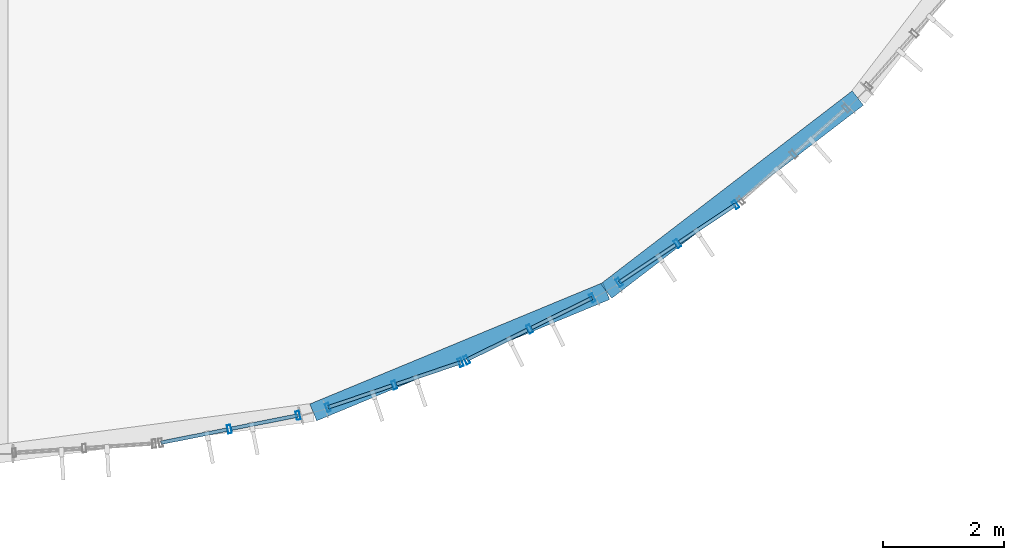
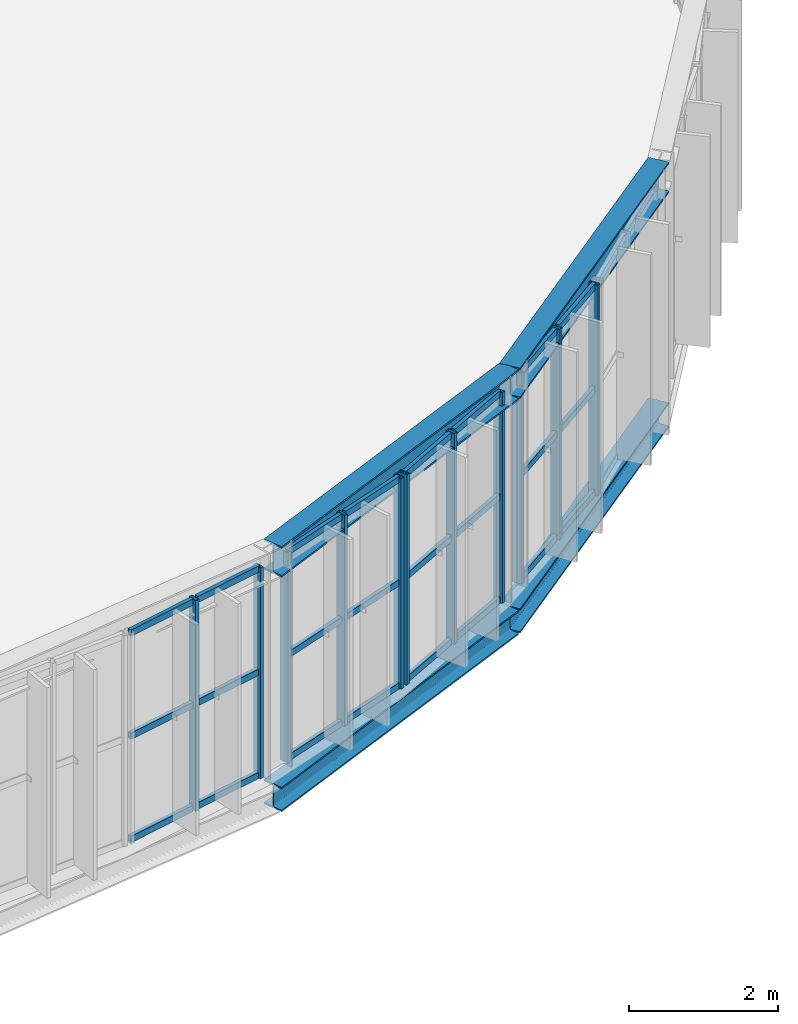
# One storey, part 45 of 152: 35 members, 4 beams, 4 elements without a shape of their own.
"""IFC4 building model written with IfcOpenShell, lengths in metres."""

import ifcopenshell
import ifcopenshell.guid

model = None  # the IFC model being written
_history = None  # IfcOwnerHistory: only IFC2X3 demands one
_inside = {}  # id of a spatial element -> (the spatial element, [elements in it])
_under = {}  # id of a project, library or spatial element -> (it, [spatial elements below it])
_declared = {}  # id of a project -> (the project, [libraries it declares])
_typed = {}  # id of a type object -> (the type object, [elements of that type])
_made_of = {}  # id of a material, layer set ... -> (it, [elements and type objects made of it])


def new_model(schema):
    """Start an empty IFC model of exactly this schema.

    Asked for "IFC4X3", IfcOpenShell would pick the latest addendum, in which some entities
    have other attributes; the version numbers below select the first issue.
    IFC2X3 requires an IfcOwnerHistory on every rooted entity: one is made here for all.
    """
    global model, _history
    if schema == "IFC4X3":
        model = ifcopenshell.file(schema_version=(4, 3, 0, 0))
    else:
        model = ifcopenshell.file(schema=schema)
    _inside.clear()
    _under.clear()
    _declared.clear()
    _typed.clear()
    _made_of.clear()
    _history = None
    if model.schema == "IFC2X3":
        org = make("IfcOrganization", Name="unknown")
        user = make(
            "IfcPersonAndOrganization",
            ThePerson=make("IfcPerson", FamilyName="unknown"),
            TheOrganization=org,
        )
        app = make(
            "IfcApplication",
            ApplicationDeveloper=org,
            Version="unknown",
            ApplicationFullName="unknown",
            ApplicationIdentifier="unknown",
        )
        _history = make(
            "IfcOwnerHistory",
            OwningUser=user,
            OwningApplication=app,
            ChangeAction="ADDED",
            CreationDate=0,
        )
    return model


def make(cls, **values):
    """One entity of the class cls with the attributes given. An attribute that is None is left unset."""
    return model.create_entity(
        cls, **{name: value for name, value in values.items() if value is not None}
    )


def rooted(cls, **values):
    """An entity with a GlobalId (a new one), such as an element, a storey or a relation."""
    return make(cls, GlobalId=ifcopenshell.guid.new(), OwnerHistory=_history, **values)


def si_unit(unit_type, name, prefix=None):
    """IfcSIUnit, for example si_unit("LENGTHUNIT", "METRE", prefix="MILLI")."""
    return make("IfcSIUnit", UnitType=unit_type, Prefix=prefix, Name=name)


def derived_unit(unit_type, elements):
    """IfcDerivedUnit: a product of units, each with its exponent."""
    return make(
        "IfcDerivedUnit",
        Elements=[
            make("IfcDerivedUnitElement", Unit=unit, Exponent=power)
            for unit, power in elements
        ],
        UnitType=unit_type,
    )


def assignment(units):
    """IfcUnitAssignment: the units of a project."""
    return None if units is None else make("IfcUnitAssignment", Units=units)


def point(xyz):
    """IfcCartesianPoint."""
    return None if xyz is None else make("IfcCartesianPoint", Coordinates=xyz)


def direction(xyz):
    """IfcDirection."""
    return None if xyz is None else make("IfcDirection", DirectionRatios=xyz)


def frame(location, z_axis=None, x_axis=None):
    """IfcAxis2Placement3D, a coordinate frame: its origin and axes. An axis left out is left unset."""
    return make(
        "IfcAxis2Placement3D",
        Location=point(location),
        Axis=direction(z_axis),
        RefDirection=direction(x_axis),
    )


def frame_2d(location, x_axis=None):
    """IfcAxis2Placement2D, a coordinate frame in the plane: its origin and x axis."""
    return make(
        "IfcAxis2Placement2D", Location=point(location), RefDirection=direction(x_axis)
    )


def origin():
    """The frame at (0, 0, 0) with its axes left unset."""
    return frame((0.0, 0.0, 0.0))


def origin_2d():
    """The frame at (0, 0) in the plane with its x axis left unset."""
    return frame_2d((0.0, 0.0))


def place(relative_to, where):
    """IfcLocalPlacement: puts the frame where relative to a parent placement (None: the world)."""
    return make(
        "IfcLocalPlacement", PlacementRelTo=relative_to, RelativePlacement=where
    )


def context(
    kind, dimensions, precision=None, world=None, true_north=None, identifier=None
):
    """IfcGeometricRepresentationContext, for example the 3D "Model" context."""
    return make(
        "IfcGeometricRepresentationContext",
        ContextIdentifier=identifier,
        ContextType=kind,
        CoordinateSpaceDimension=dimensions,
        Precision=precision,
        WorldCoordinateSystem=world,
        TrueNorth=true_north,
    )


def subcontext(parent, identifier, kind, view, scale=None):
    """IfcGeometricRepresentationSubContext, for example "Body" below "Model"."""
    return make(
        "IfcGeometricRepresentationSubContext",
        ContextIdentifier=identifier,
        ContextType=kind,
        ParentContext=parent,
        TargetScale=scale,
        TargetView=view,
    )


def project(units=None, contexts=None):
    """IfcProject with its units and contexts."""
    return rooted(
        "IfcProject",
        Name="project",
        RepresentationContexts=contexts,
        UnitsInContext=assignment(units),
    )


def spatial(cls, under=None, at=None, **own):
    """A site, building, storey or space (cls), placed at a placement, below another one or the project."""
    s = rooted(cls, ObjectPlacement=at, **own)
    if under is not None:
        _under.setdefault(under.id(), (under, []))[1].append(s)
    return s


def profile(cls, at=None, kind="AREA", **sizes):
    """A parametric profile (cls). Its sizes go by their IFC names, for example OverallWidth=200.0."""
    return make(cls, ProfileType=kind, Position=at, **sizes)


def hollow_rectangle(**sizes):
    """IfcRectangleHollowProfileDef."""
    return profile("IfcRectangleHollowProfileDef", **sizes)


def i_section(**sizes):
    """IfcIShapeProfileDef."""
    return profile("IfcIShapeProfileDef", **sizes)


def extrude(swept, where, along, depth):
    """IfcExtrudedAreaSolid: the profile swept, set in the frame where, extruded along a direction by depth."""
    return make(
        "IfcExtrudedAreaSolid",
        SweptArea=swept,
        Position=where,
        ExtrudedDirection=direction(along),
        Depth=depth,
    )


def shape(context_of_items, identifier, shape_type, items):
    """IfcShapeRepresentation: the items that make up one representation, for example the "Body"."""
    return make(
        "IfcShapeRepresentation",
        ContextOfItems=context_of_items,
        RepresentationIdentifier=identifier,
        RepresentationType=shape_type,
        Items=items,
    )


def material(Name=None, Category=None):
    """IfcMaterial."""
    return make("IfcMaterial", Name=Name, Category=Category)


def material_profile(
    of_material, cross_section, Name=None, Category=None, Priority=None
):
    """IfcMaterialProfile: a cross section and its material."""
    return make(
        "IfcMaterialProfile",
        Name=Name,
        Material=of_material,
        Profile=cross_section,
        Priority=Priority,
        Category=Category,
    )


def profile_set(profiles, Name=None, composite=None):
    """IfcMaterialProfileSet."""
    return make(
        "IfcMaterialProfileSet",
        Name=Name,
        MaterialProfiles=profiles,
        CompositeProfile=composite,
    )


def made_of(thing, what):
    """Note that an element or type object is made of a material, layer set ...; save() writes the relation."""
    if what is not None:
        _made_of.setdefault(what.id(), (what, []))[1].append(thing)
    return thing


def type_object(cls, material=None, **own):
    """A type object (cls), such as IfcWallType, which elements share."""
    return made_of(rooted(cls, **own), material)


def element(
    cls,
    number,
    at=None,
    inside=None,
    cuts=None,
    type_object=None,
    material=None,
    context=None,
    identifier="Body",
    shape_type=None,
    held_by="IfcProductDefinitionShape",
    body=None,
    shapes=None,
    **own,
):
    """One element of the class cls, such as IfcWall. Its Tag is "e" and its number.

    at: its placement. inside: the storey or other place that contains it. cuts: it is an
    opening in that element (IfcRelVoidsElement). A single representation is given by context,
    identifier, shape_type and body (its items); several are given by shapes. held_by: the class
    of the entity that holds the representations. save() writes the other relations.
    """
    e = rooted(cls, Tag="e%d" % number, ObjectPlacement=at, **own)
    if body is not None:
        shapes = [shape(context, identifier, shape_type, body)]
    if shapes is not None:
        e.Representation = make(held_by, Representations=shapes)
    if inside is not None:
        _inside.setdefault(inside.id(), (inside, []))[1].append(e)
    if cuts is not None:
        rooted(
            "IfcRelVoidsElement", RelatingBuildingElement=cuts, RelatedOpeningElement=e
        )
    if type_object is not None:
        _typed.setdefault(type_object.id(), (type_object, []))[1].append(e)
    return made_of(e, material)


def aggregate(whole, parts):
    """IfcRelAggregates: a whole, such as a stair, and the parts it consists of."""
    return rooted("IfcRelAggregates", RelatingObject=whole, RelatedObjects=parts)


def save(model, path):
    """Write the relations noted so far, then the file.

    IfcRelAggregates (storeys below a building ...), IfcRelContainedInSpatialStructure (elements
    in a storey), IfcRelDefinesByType, IfcRelAssociatesMaterial and IfcRelDeclares: one each for
    every whole, place, type object, material and project.
    """
    for whole, parts in _under.values():
        aggregate(whole, parts)
    for where, things in _inside.values():
        rooted(
            "IfcRelContainedInSpatialStructure",
            RelatedElements=things,
            RelatingStructure=where,
        )
    for kind, things in _typed.values():
        rooted("IfcRelDefinesByType", RelatedObjects=things, RelatingType=kind)
    for what, things in _made_of.values():
        rooted("IfcRelAssociatesMaterial", RelatedObjects=things, RelatingMaterial=what)
    for by, libraries in _declared.values():
        rooted("IfcRelDeclares", RelatingContext=by, RelatedDefinitions=libraries)
    model.write(path)


model = new_model("IFC4")

# Units and contexts
model_context = context("Model", 3, precision=1e-05, world=origin(), true_north=direction((0.0, 1.0)))
body_context = subcontext(model_context, "Body", "Model", "MODEL_VIEW")
ifc_project = project(units=[si_unit("LENGTHUNIT", "METRE"), si_unit("AREAUNIT", "SQUARE_METRE"), si_unit("VOLUMEUNIT", "CUBIC_METRE"), si_unit("PLANEANGLEUNIT", "RADIAN"), si_unit("MASSUNIT", "GRAM", prefix="KILO"), si_unit("THERMODYNAMICTEMPERATUREUNIT", "KELVIN"), si_unit("TIMEUNIT", "SECOND"), derived_unit("THERMALTRANSMITTANCEUNIT", [(si_unit("MASSUNIT", "GRAM", prefix="KILO"), 1), (si_unit("THERMODYNAMICTEMPERATUREUNIT", "KELVIN"), -1), (si_unit("TIMEUNIT", "SECOND"), -3)])], contexts=[model_context])

# Site, building, storey
site_placement = place(None, origin())
site = spatial("IfcSite", under=ifc_project, at=site_placement, CompositionType="ELEMENT")
building_placement = place(site_placement, origin())
building = spatial("IfcBuilding", under=site, at=building_placement, Name="Cambertide Market Hall", CompositionType="ELEMENT")
storey_placement = place(building_placement, frame((0.0, 0.0, 5.39990234375)))
storey = spatial("IfcBuildingStorey", under=building, at=storey_placement, Name="L02", CompositionType="ELEMENT", Elevation=5.39990234375)

# Curtain wall, members
ifc_material_1 = material(Name="Marine Anodized Aluminium 6063-T6 AA25", Category="aluminium")
curtain_wall_type = type_object("IfcCurtainWallType", Name="Lantern Apse Chord Upper Curtain Wall", PredefinedType="USERDEFINED", material=ifc_material_1)
curtain_wall_1_placement = place(storey_placement, origin())
curtain_wall_1 = element("IfcCurtainWall", 1, at=curtain_wall_1_placement, inside=storey, type_object=curtain_wall_type, Name="Level 2 Curtain Wall CW-V1AE-L02-02", ObjectType="UNITIZED CURTAIN WALL", PredefinedType="USERDEFINED")
ifc_material_2 = material(Name="Champagne Marine Anodized Aluminium 6063-T6 AA25", Category="aluminium")
ifc_material_profile_1 = material_profile(ifc_material_2, hollow_rectangle(XDim=0.06005859375, YDim=0.139892578125, WallThickness=0.00341796875, at=origin_2d()), Name="ALU MULLION 60x140")
ifc_profile_set_1 = profile_set([ifc_material_profile_1], Name="Champagne Marine Anodized Aluminium 6063-T6 AA25")
member_type_1 = type_object("IfcMemberType", Name="Curtain Wall Mullion ALU MULLION 60x140", PredefinedType="MULLION", material=ifc_profile_set_1)
member_1_placement = place(storey_placement, frame((109.92626953125, 52.6318359375, 0.0), z_axis=(0.0, 0.0, 1.0), x_axis=(-0.980785330885, -0.195090068226, 0.0)))
member_1 = element("IfcMember", 2, at=member_1_placement, type_object=member_type_1, Name="CW-V1AE-L02-02 Mullion 1", PredefinedType="MULLION", context=body_context, shape_type="SweptSolid", body=[
    extrude(hollow_rectangle(XDim=0.06005859375, YDim=0.139892578125, WallThickness=0.00341796875, at=origin_2d()), origin(), (0.0, 0.0, 1.0), 3.4501953125),
])
member_2_placement = place(storey_placement, frame((108.79541015625, 52.40673828125, 0.0), z_axis=(0.0, 0.0, 1.0), x_axis=(-0.980785330885, -0.195090068226, 0.0)))
member_2 = element("IfcMember", 3, at=member_2_placement, type_object=member_type_1, Name="CW-V1AE-L02-02 Mullion 2", PredefinedType="MULLION", context=body_context, shape_type="SweptSolid", body=[
    extrude(hollow_rectangle(XDim=0.06005859375, YDim=0.139892578125, WallThickness=0.00341796875, at=origin_2d()), origin(), (0.0, 0.0, 1.0), 3.4501953125),
])

curtain_wall_2_placement = place(storey_placement, origin())
curtain_wall_2 = element("IfcCurtainWall", 4, at=curtain_wall_2_placement, inside=storey, type_object=curtain_wall_type, Name="Level 2 Curtain Wall CW-V1AE-L02-03", ObjectType="UNITIZED CURTAIN WALL", PredefinedType="USERDEFINED")
member_3_placement = place(storey_placement, frame((112.6015625, 53.504638671875, 0.0), z_axis=(0.0, 0.0, 1.0), x_axis=(-0.94693012508, -0.32143947831, 0.0)))
member_3 = element("IfcMember", 5, at=member_3_placement, type_object=member_type_1, Name="CW-V1AE-L02-03 Mullion 1", PredefinedType="MULLION", context=body_context, shape_type="SweptSolid", body=[
    extrude(hollow_rectangle(XDim=0.06005859375, YDim=0.139892578125, WallThickness=0.00341796875, at=origin_2d()), origin(), (0.0, 0.0, 1.0), 3.4501953125),
])
member_4_placement = place(storey_placement, frame((111.509765625, 53.134033203125, 0.0), z_axis=(0.0, 0.0, 1.0), x_axis=(-0.94693012508, -0.32143947831, 0.0)))
member_4 = element("IfcMember", 6, at=member_4_placement, type_object=member_type_1, Name="CW-V1AE-L02-03 Mullion 2", PredefinedType="MULLION", context=body_context, shape_type="SweptSolid", body=[
    extrude(hollow_rectangle(XDim=0.06005859375, YDim=0.139892578125, WallThickness=0.00341796875, at=origin_2d()), origin(), (0.0, 0.0, 1.0), 3.4501953125),
])
member_5_placement = place(storey_placement, frame((110.41796875, 52.763427734375, 0.0), z_axis=(0.0, 0.0, 1.0), x_axis=(-0.94693012508, -0.32143947831, 0.0)))
member_5 = element("IfcMember", 7, at=member_5_placement, type_object=member_type_1, Name="CW-V1AE-L02-03 Mullion 3", PredefinedType="MULLION", context=body_context, shape_type="SweptSolid", body=[
    extrude(hollow_rectangle(XDim=0.06005859375, YDim=0.139892578125, WallThickness=0.00341796875, at=origin_2d()), origin(), (0.0, 0.0, 1.0), 3.4501953125),
])

curtain_wall_3_placement = place(storey_placement, origin())
curtain_wall_3 = element("IfcCurtainWall", 8, at=curtain_wall_3_placement, inside=storey, type_object=curtain_wall_type, Name="Level 2 Curtain Wall CW-V1AE-L02-04", ObjectType="UNITIZED CURTAIN WALL", PredefinedType="USERDEFINED")
member_6_placement = place(storey_placement, frame((114.771240234375, 54.566650390625, 0.0), z_axis=(0.0, 0.0, 1.0), x_axis=(-0.896872650645, -0.442288874522, 0.0)))
member_6 = element("IfcMember", 9, at=member_6_placement, type_object=member_type_1, Name="CW-V1AE-L02-04 Mullion 1", PredefinedType="MULLION", context=body_context, shape_type="SweptSolid", body=[
    extrude(hollow_rectangle(XDim=0.06005859375, YDim=0.139892578125, WallThickness=0.00341796875, at=origin_2d()), origin(), (0.0, 0.0, 1.0), 3.4501953125),
])
member_7_placement = place(storey_placement, frame((113.737060546875, 54.056640625, 0.0), z_axis=(0.0, 0.0, 1.0), x_axis=(-0.896872650645, -0.442288874522, 0.0)))
member_7 = element("IfcMember", 10, at=member_7_placement, type_object=member_type_1, Name="CW-V1AE-L02-04 Mullion 2", PredefinedType="MULLION", context=body_context, shape_type="SweptSolid", body=[
    extrude(hollow_rectangle(XDim=0.06005859375, YDim=0.139892578125, WallThickness=0.00341796875, at=origin_2d()), origin(), (0.0, 0.0, 1.0), 3.4501953125),
])
member_8_placement = place(storey_placement, frame((112.702880859375, 53.546630859375, 0.0), z_axis=(0.0, 0.0, 1.0), x_axis=(-0.896872650645, -0.442288874522, 0.0)))
member_8 = element("IfcMember", 11, at=member_8_placement, type_object=member_type_1, Name="CW-V1AE-L02-04 Mullion 3", PredefinedType="MULLION", context=body_context, shape_type="SweptSolid", body=[
    extrude(hollow_rectangle(XDim=0.06005859375, YDim=0.139892578125, WallThickness=0.00341796875, at=origin_2d()), origin(), (0.0, 0.0, 1.0), 3.4501953125),
])

curtain_wall_4_placement = place(storey_placement, origin())
curtain_wall_4 = element("IfcCurtainWall", 12, at=curtain_wall_4_placement, inside=storey, type_object=curtain_wall_type, Name="Level 2 Curtain Wall CW-V1AE-L02-05", ObjectType="UNITIZED CURTAIN WALL", PredefinedType="USERDEFINED")
member_9_placement = place(storey_placement, frame((117.12939453125, 56.102294921875, 0.0), z_axis=(0.0, 0.0, 1.0), x_axis=(-0.831469709481, -0.555570087582, 0.0)))
member_9 = element("IfcMember", 13, at=member_9_placement, type_object=member_type_1, Name="CW-V1AE-L02-05 Mullion 1", PredefinedType="MULLION", context=body_context, shape_type="SweptSolid", body=[
    extrude(hollow_rectangle(XDim=0.06005859375, YDim=0.139892578125, WallThickness=0.00341796875, at=origin_2d()), origin(), (0.0, 0.0, 1.0), 3.4501953125),
])
member_10_placement = place(storey_placement, frame((116.170654296875, 55.461669921875, 0.0), z_axis=(0.0, 0.0, 1.0), x_axis=(-0.831469709481, -0.555570087582, 0.0)))
member_10 = element("IfcMember", 14, at=member_10_placement, type_object=member_type_1, Name="CW-V1AE-L02-05 Mullion 2", PredefinedType="MULLION", context=body_context, shape_type="SweptSolid", body=[
    extrude(hollow_rectangle(XDim=0.06005859375, YDim=0.139892578125, WallThickness=0.00341796875, at=origin_2d()), origin(), (0.0, 0.0, 1.0), 3.4501953125),
])
member_11_placement = place(storey_placement, frame((115.2119140625, 54.821044921875, 0.0), z_axis=(0.0, 0.0, 1.0), x_axis=(-0.831469709481, -0.555570087582, 0.0)))
member_11 = element("IfcMember", 15, at=member_11_placement, type_object=member_type_1, Name="CW-V1AE-L02-05 Mullion 3", PredefinedType="MULLION", context=body_context, shape_type="SweptSolid", body=[
    extrude(hollow_rectangle(XDim=0.06005859375, YDim=0.139892578125, WallThickness=0.00341796875, at=origin_2d()), origin(), (0.0, 0.0, 1.0), 3.4501953125),
])

# Member
ifc_material_3 = material(Name="Champagne Marine Anodized Aluminium 6063-T6 AA25", Category="aluminium")
ifc_material_profile_2 = material_profile(ifc_material_3, hollow_rectangle(XDim=0.06005859375, YDim=0.10498046875, WallThickness=0.0029296875, at=origin_2d()), Name="ALU TRANSOM 60x105")
ifc_profile_set_2 = profile_set([ifc_material_profile_2], Name="Champagne Marine Anodized Aluminium 6063-T6 AA25")
member_type_2 = type_object("IfcMemberType", Name="Curtain Wall Transom ALU TRANSOM 60x105", PredefinedType="USERDEFINED", material=ifc_profile_set_2)
member_12_placement = place(storey_placement, frame((109.92138671875, 52.630859375, 0.03515625), z_axis=(-0.980758243369, -0.195226197175, 0.0), x_axis=(0.195226197175, -0.980758243369, 0.0)))
member_12 = element("IfcMember", 16, at=member_12_placement, type_object=member_type_2, Name="CW-V1AE-L02-02 Transom 1-1", ObjectType="TRANSOM", PredefinedType="USERDEFINED", context=body_context, shape_type="SweptSolid", body=[
    extrude(hollow_rectangle(XDim=0.06005859375, YDim=0.10498046875, WallThickness=0.0029296875, at=origin_2d()), origin(), (0.0, 0.0, 1.0), 1.10791015625),
])

member_13_placement = place(storey_placement, frame((108.756103515625, 52.39892578125, 0.03515625), z_axis=(-0.980800411785, -0.195014235999, 0.0), x_axis=(0.195014235999, -0.980800411785, 0.0)))
member_13 = element("IfcMember", 17, at=member_13_placement, type_object=member_type_2, Name="CW-V1AE-L02-02 Transom 1-2", ObjectType="TRANSOM", PredefinedType="USERDEFINED", context=body_context, shape_type="SweptSolid", body=[
    extrude(hollow_rectangle(XDim=0.06005859375, YDim=0.10498046875, WallThickness=0.0029296875, at=origin_2d()), origin(), (0.0, 0.0, 1.0), 1.10791015625),
])

member_14_placement = place(storey_placement, frame((109.92138671875, 52.630859375, 1.72509765625), z_axis=(-0.980758243369, -0.195226197175, 0.0), x_axis=(0.195226197175, -0.980758243369, 0.0)))
member_14 = element("IfcMember", 18, at=member_14_placement, type_object=member_type_2, Name="CW-V1AE-L02-02 Transom 2-1", ObjectType="TRANSOM", PredefinedType="USERDEFINED", context=body_context, shape_type="SweptSolid", body=[
    extrude(hollow_rectangle(XDim=0.06005859375, YDim=0.10498046875, WallThickness=0.0029296875, at=origin_2d()), origin(), (0.0, 0.0, 1.0), 1.10791015625),
])

member_15_placement = place(storey_placement, frame((108.756103515625, 52.39892578125, 1.72509765625), z_axis=(-0.980800411785, -0.195014235999, 0.0), x_axis=(0.195014235999, -0.980800411785, 0.0)))
member_15 = element("IfcMember", 19, at=member_15_placement, type_object=member_type_2, Name="CW-V1AE-L02-02 Transom 2-2", ObjectType="TRANSOM", PredefinedType="USERDEFINED", context=body_context, shape_type="SweptSolid", body=[
    extrude(hollow_rectangle(XDim=0.06005859375, YDim=0.10498046875, WallThickness=0.0029296875, at=origin_2d()), origin(), (0.0, 0.0, 1.0), 1.10791015625),
])

member_16_placement = place(storey_placement, frame((109.92138671875, 52.630859375, 3.4150390625), z_axis=(-0.980758243369, -0.195226197175, 0.0), x_axis=(0.195226197175, -0.980758243369, 0.0)))
member_16 = element("IfcMember", 20, at=member_16_placement, type_object=member_type_2, Name="CW-V1AE-L02-02 Transom 3-1", ObjectType="TRANSOM", PredefinedType="USERDEFINED", context=body_context, shape_type="SweptSolid", body=[
    extrude(hollow_rectangle(XDim=0.06005859375, YDim=0.10498046875, WallThickness=0.0029296875, at=origin_2d()), origin(), (0.0, 0.0, 1.0), 1.10791015625),
])

member_17_placement = place(storey_placement, frame((108.756103515625, 52.39892578125, 3.4150390625), z_axis=(-0.980800411785, -0.195014235999, 0.0), x_axis=(0.195014235999, -0.980800411785, 0.0)))
member_17 = element("IfcMember", 21, at=member_17_placement, type_object=member_type_2, Name="CW-V1AE-L02-02 Transom 3-2", ObjectType="TRANSOM", PredefinedType="USERDEFINED", context=body_context, shape_type="SweptSolid", body=[
    extrude(hollow_rectangle(XDim=0.06005859375, YDim=0.10498046875, WallThickness=0.0029296875, at=origin_2d()), origin(), (0.0, 0.0, 1.0), 1.10791015625),
])

aggregate(curtain_wall_1, [member_1, member_2, member_12, member_13, member_14, member_15, member_16, member_17])

member_18_placement = place(storey_placement, frame((112.596923828125, 53.503173828125, 0.03515625), z_axis=(-0.946928413037, -0.321444521782, 0.0), x_axis=(0.321444521782, -0.946928413037, 0.0)))
member_18 = element("IfcMember", 22, at=member_18_placement, type_object=member_type_2, Name="CW-V1AE-L02-03 Transom 1-1", ObjectType="TRANSOM", PredefinedType="USERDEFINED", context=body_context, shape_type="SweptSolid", body=[
    extrude(hollow_rectangle(XDim=0.06005859375, YDim=0.10498046875, WallThickness=0.0029296875, at=origin_2d()), origin(), (0.0, 0.0, 1.0), 1.108154296875),
])

member_19_placement = place(storey_placement, frame((111.471923828125, 53.121337890625, 0.03515625), z_axis=(-0.946928413037, -0.321444521782, 0.0), x_axis=(0.321444521782, -0.946928413037, 0.0)))
member_19 = element("IfcMember", 23, at=member_19_placement, type_object=member_type_2, Name="CW-V1AE-L02-03 Transom 1-2", ObjectType="TRANSOM", PredefinedType="USERDEFINED", context=body_context, shape_type="SweptSolid", body=[
    extrude(hollow_rectangle(XDim=0.06005859375, YDim=0.10498046875, WallThickness=0.0029296875, at=origin_2d()), origin(), (0.0, 0.0, 1.0), 1.108154296875),
])

member_20_placement = place(storey_placement, frame((112.596923828125, 53.503173828125, 1.72509765625), z_axis=(-0.946928413037, -0.321444521782, 0.0), x_axis=(0.321444521782, -0.946928413037, 0.0)))
member_20 = element("IfcMember", 24, at=member_20_placement, type_object=member_type_2, Name="CW-V1AE-L02-03 Transom 2-1", ObjectType="TRANSOM", PredefinedType="USERDEFINED", context=body_context, shape_type="SweptSolid", body=[
    extrude(hollow_rectangle(XDim=0.06005859375, YDim=0.10498046875, WallThickness=0.0029296875, at=origin_2d()), origin(), (0.0, 0.0, 1.0), 1.108154296875),
])

member_21_placement = place(storey_placement, frame((111.471923828125, 53.121337890625, 1.72509765625), z_axis=(-0.946928413037, -0.321444521782, 0.0), x_axis=(0.321444521782, -0.946928413037, 0.0)))
member_21 = element("IfcMember", 25, at=member_21_placement, type_object=member_type_2, Name="CW-V1AE-L02-03 Transom 2-2", ObjectType="TRANSOM", PredefinedType="USERDEFINED", context=body_context, shape_type="SweptSolid", body=[
    extrude(hollow_rectangle(XDim=0.06005859375, YDim=0.10498046875, WallThickness=0.0029296875, at=origin_2d()), origin(), (0.0, 0.0, 1.0), 1.108154296875),
])

member_22_placement = place(storey_placement, frame((112.596923828125, 53.503173828125, 3.4150390625), z_axis=(-0.946928413037, -0.321444521782, 0.0), x_axis=(0.321444521782, -0.946928413037, 0.0)))
member_22 = element("IfcMember", 26, at=member_22_placement, type_object=member_type_2, Name="CW-V1AE-L02-03 Transom 3-1", ObjectType="TRANSOM", PredefinedType="USERDEFINED", context=body_context, shape_type="SweptSolid", body=[
    extrude(hollow_rectangle(XDim=0.06005859375, YDim=0.10498046875, WallThickness=0.0029296875, at=origin_2d()), origin(), (0.0, 0.0, 1.0), 1.108154296875),
])

member_23_placement = place(storey_placement, frame((111.471923828125, 53.121337890625, 3.4150390625), z_axis=(-0.946928413037, -0.321444521782, 0.0), x_axis=(0.321444521782, -0.946928413037, 0.0)))
member_23 = element("IfcMember", 27, at=member_23_placement, type_object=member_type_2, Name="CW-V1AE-L02-03 Transom 3-2", ObjectType="TRANSOM", PredefinedType="USERDEFINED", context=body_context, shape_type="SweptSolid", body=[
    extrude(hollow_rectangle(XDim=0.06005859375, YDim=0.10498046875, WallThickness=0.0029296875, at=origin_2d()), origin(), (0.0, 0.0, 1.0), 1.108154296875),
])

aggregate(curtain_wall_2, [member_3, member_4, member_5, member_18, member_19, member_20, member_21, member_22, member_23])

member_24_placement = place(storey_placement, frame((114.766845703125, 54.564453125, 0.03515625), z_axis=(-0.896924738521, -0.442183235129, 0.0), x_axis=(0.442183235129, -0.896924738521, 0.0)))
member_24 = element("IfcMember", 28, at=member_24_placement, type_object=member_type_2, Name="CW-V1AE-L02-04 Transom 1-1", ObjectType="TRANSOM", PredefinedType="USERDEFINED", context=body_context, shape_type="SweptSolid", body=[
    extrude(hollow_rectangle(XDim=0.06005859375, YDim=0.10498046875, WallThickness=0.0029296875, at=origin_2d()), origin(), (0.0, 0.0, 1.0), 1.108154296875),
])

member_25_placement = place(storey_placement, frame((113.701171875, 54.0390625, 0.03515625), z_axis=(-0.896794227794, -0.44244786472, 0.0), x_axis=(0.44244786472, -0.896794227794, 0.0)))
member_25 = element("IfcMember", 29, at=member_25_placement, type_object=member_type_2, Name="CW-V1AE-L02-04 Transom 1-2", ObjectType="TRANSOM", PredefinedType="USERDEFINED", context=body_context, shape_type="SweptSolid", body=[
    extrude(hollow_rectangle(XDim=0.06005859375, YDim=0.10498046875, WallThickness=0.0029296875, at=origin_2d()), origin(), (0.0, 0.0, 1.0), 1.10791015625),
])

member_26_placement = place(storey_placement, frame((114.766845703125, 54.564453125, 1.72509765625), z_axis=(-0.896924738521, -0.442183235129, 0.0), x_axis=(0.442183235129, -0.896924738521, 0.0)))
member_26 = element("IfcMember", 30, at=member_26_placement, type_object=member_type_2, Name="CW-V1AE-L02-04 Transom 2-1", ObjectType="TRANSOM", PredefinedType="USERDEFINED", context=body_context, shape_type="SweptSolid", body=[
    extrude(hollow_rectangle(XDim=0.06005859375, YDim=0.10498046875, WallThickness=0.0029296875, at=origin_2d()), origin(), (0.0, 0.0, 1.0), 1.108154296875),
])

member_27_placement = place(storey_placement, frame((113.701171875, 54.0390625, 1.72509765625), z_axis=(-0.896794227794, -0.44244786472, 0.0), x_axis=(0.44244786472, -0.896794227794, 0.0)))
member_27 = element("IfcMember", 31, at=member_27_placement, type_object=member_type_2, Name="CW-V1AE-L02-04 Transom 2-2", ObjectType="TRANSOM", PredefinedType="USERDEFINED", context=body_context, shape_type="SweptSolid", body=[
    extrude(hollow_rectangle(XDim=0.06005859375, YDim=0.10498046875, WallThickness=0.0029296875, at=origin_2d()), origin(), (0.0, 0.0, 1.0), 1.10791015625),
])

member_28_placement = place(storey_placement, frame((114.766845703125, 54.564453125, 3.4150390625), z_axis=(-0.896924738521, -0.442183235129, 0.0), x_axis=(0.442183235129, -0.896924738521, 0.0)))
member_28 = element("IfcMember", 32, at=member_28_placement, type_object=member_type_2, Name="CW-V1AE-L02-04 Transom 3-1", ObjectType="TRANSOM", PredefinedType="USERDEFINED", context=body_context, shape_type="SweptSolid", body=[
    extrude(hollow_rectangle(XDim=0.06005859375, YDim=0.10498046875, WallThickness=0.0029296875, at=origin_2d()), origin(), (0.0, 0.0, 1.0), 1.108154296875),
])

member_29_placement = place(storey_placement, frame((113.701171875, 54.0390625, 3.4150390625), z_axis=(-0.896794227794, -0.44244786472, 0.0), x_axis=(0.44244786472, -0.896794227794, 0.0)))
member_29 = element("IfcMember", 33, at=member_29_placement, type_object=member_type_2, Name="CW-V1AE-L02-04 Transom 3-2", ObjectType="TRANSOM", PredefinedType="USERDEFINED", context=body_context, shape_type="SweptSolid", body=[
    extrude(hollow_rectangle(XDim=0.06005859375, YDim=0.10498046875, WallThickness=0.0029296875, at=origin_2d()), origin(), (0.0, 0.0, 1.0), 1.10791015625),
])

aggregate(curtain_wall_3, [member_6, member_7, member_8, member_24, member_25, member_26, member_27, member_28, member_29])

member_30_placement = place(storey_placement, frame((117.125244140625, 56.099609375, 0.03515625), z_axis=(-0.831371680054, -0.55571677103, 0.0), x_axis=(0.55571677103, -0.831371680054, 0.0)))
member_30 = element("IfcMember", 34, at=member_30_placement, type_object=member_type_2, Name="CW-V1AE-L02-05 Transom 1-1", ObjectType="TRANSOM", PredefinedType="USERDEFINED", context=body_context, shape_type="SweptSolid", body=[
    extrude(hollow_rectangle(XDim=0.06005859375, YDim=0.10498046875, WallThickness=0.0029296875, at=origin_2d()), origin(), (0.0, 0.0, 1.0), 1.10791015625),
])

member_31_placement = place(storey_placement, frame((116.137451171875, 55.439453125, 0.03515625), z_axis=(-0.83154148111, -0.555462658685, 0.0), x_axis=(0.555462658685, -0.83154148111, 0.0)))
member_31 = element("IfcMember", 35, at=member_31_placement, type_object=member_type_2, Name="CW-V1AE-L02-05 Transom 1-2", ObjectType="TRANSOM", PredefinedType="USERDEFINED", context=body_context, shape_type="SweptSolid", body=[
    extrude(hollow_rectangle(XDim=0.06005859375, YDim=0.10498046875, WallThickness=0.0029296875, at=origin_2d()), origin(), (0.0, 0.0, 1.0), 1.108154296875),
])

member_32_placement = place(storey_placement, frame((117.125244140625, 56.099609375, 1.72509765625), z_axis=(-0.831371680054, -0.55571677103, 0.0), x_axis=(0.55571677103, -0.831371680054, 0.0)))
member_32 = element("IfcMember", 36, at=member_32_placement, type_object=member_type_2, Name="CW-V1AE-L02-05 Transom 2-1", ObjectType="TRANSOM", PredefinedType="USERDEFINED", context=body_context, shape_type="SweptSolid", body=[
    extrude(hollow_rectangle(XDim=0.06005859375, YDim=0.10498046875, WallThickness=0.0029296875, at=origin_2d()), origin(), (0.0, 0.0, 1.0), 1.10791015625),
])

member_33_placement = place(storey_placement, frame((116.137451171875, 55.439453125, 1.72509765625), z_axis=(-0.83154148111, -0.555462658685, 0.0), x_axis=(0.555462658685, -0.83154148111, 0.0)))
member_33 = element("IfcMember", 37, at=member_33_placement, type_object=member_type_2, Name="CW-V1AE-L02-05 Transom 2-2", ObjectType="TRANSOM", PredefinedType="USERDEFINED", context=body_context, shape_type="SweptSolid", body=[
    extrude(hollow_rectangle(XDim=0.06005859375, YDim=0.10498046875, WallThickness=0.0029296875, at=origin_2d()), origin(), (0.0, 0.0, 1.0), 1.108154296875),
])

member_34_placement = place(storey_placement, frame((117.125244140625, 56.099609375, 3.4150390625), z_axis=(-0.831371680054, -0.55571677103, 0.0), x_axis=(0.55571677103, -0.831371680054, 0.0)))
member_34 = element("IfcMember", 38, at=member_34_placement, type_object=member_type_2, Name="CW-V1AE-L02-05 Transom 3-1", ObjectType="TRANSOM", PredefinedType="USERDEFINED", context=body_context, shape_type="SweptSolid", body=[
    extrude(hollow_rectangle(XDim=0.06005859375, YDim=0.10498046875, WallThickness=0.0029296875, at=origin_2d()), origin(), (0.0, 0.0, 1.0), 1.10791015625),
])

member_35_placement = place(storey_placement, frame((116.137451171875, 55.439453125, 3.4150390625), z_axis=(-0.83154148111, -0.555462658685, 0.0), x_axis=(0.555462658685, -0.83154148111, 0.0)))
member_35 = element("IfcMember", 39, at=member_35_placement, type_object=member_type_2, Name="CW-V1AE-L02-05 Transom 3-2", ObjectType="TRANSOM", PredefinedType="USERDEFINED", context=body_context, shape_type="SweptSolid", body=[
    extrude(hollow_rectangle(XDim=0.06005859375, YDim=0.10498046875, WallThickness=0.0029296875, at=origin_2d()), origin(), (0.0, 0.0, 1.0), 1.108154296875),
])

aggregate(curtain_wall_4, [member_9, member_10, member_11, member_30, member_31, member_32, member_33, member_34, member_35])

# Beams
ifc_material_4 = material(Name="Steel S355", Category="steel")
ifc_material_profile_3 = material_profile(ifc_material_4, i_section(OverallWidth=0.300048828125, OverallDepth=0.5, WebThickness=0.014404296875, FlangeThickness=0.028076171875, FilletRadius=0.027099609375, at=origin_2d()), Name="HEB 500")
ifc_profile_set_3 = profile_set([ifc_material_profile_3], Name="Steel S355")
beam_type_1 = type_object("IfcBeamType", Name="Exterior Steel Girder HEB 500", PredefinedType="BEAM", material=ifc_profile_set_3)
beam_1_placement = place(storey_placement, frame((110.17626953125, 52.681396484375, 3.4501953125), z_axis=(0.923880054352, 0.382682172528, 0.0), x_axis=(-0.382682172528, 0.923880054352, 0.0)))
element("IfcBeam", 40, at=beam_1_placement, inside=storey, type_object=beam_type_1, Name="Level 2 Beam EAVE-V1AE-02", PredefinedType="BEAM", context=body_context, shape_type="SweptSolid", body=[
    extrude(i_section(OverallWidth=0.300048828125, OverallDepth=0.5, WebThickness=0.014404296875, FlangeThickness=0.028076171875, FilletRadius=0.027099609375, at=origin_2d()), origin(), (0.0, 0.0, 1.0), 5.22119140625),
])
beam_2_placement = place(storey_placement, frame((115.0, 54.679443359375, 3.4501953125), z_axis=(0.793341363525, 0.608777037117, 0.0), x_axis=(-0.608777037117, 0.793341363525, 0.0)))
element("IfcBeam", 41, at=beam_2_placement, inside=storey, type_object=beam_type_1, Name="Level 2 Beam EAVE-V1AE-03", PredefinedType="BEAM", context=body_context, shape_type="SweptSolid", body=[
    extrude(i_section(OverallWidth=0.300048828125, OverallDepth=0.5, WebThickness=0.014404296875, FlangeThickness=0.028076171875, FilletRadius=0.027099609375, at=origin_2d()), origin(), (0.0, 0.0, 1.0), 5.220947265625),
])
ifc_material_5 = material(Name="Steel S355", Category="steel")
ifc_material_profile_4 = material_profile(ifc_material_5, i_section(OverallWidth=0.300048828125, OverallDepth=0.39990234375, WebThickness=0.013427734375, FlangeThickness=0.02392578125, FilletRadius=0.027099609375, at=origin_2d()), Name="HEB 400")
ifc_profile_set_4 = profile_set([ifc_material_profile_4], Name="Steel S355")
beam_type_2 = type_object("IfcBeamType", Name="Steel Girder HEB 400", PredefinedType="BEAM", material=ifc_profile_set_4)
beam_3_placement = place(storey_placement, frame((110.17626953125, 52.681396484375, -0.43994140625), z_axis=(0.923880054352, 0.382682172528, 0.0), x_axis=(-0.382682172528, 0.923880054352, 0.0)))
element("IfcBeam", 42, at=beam_3_placement, inside=storey, type_object=beam_type_2, Name="Level 2 Beam BM-V1AE-L02-2", PredefinedType="BEAM", context=body_context, shape_type="SweptSolid", body=[
    extrude(i_section(OverallWidth=0.300048828125, OverallDepth=0.39990234375, WebThickness=0.013427734375, FlangeThickness=0.02392578125, FilletRadius=0.027099609375, at=origin_2d()), origin(), (0.0, 0.0, 1.0), 5.22119140625),
])
beam_4_placement = place(storey_placement, frame((115.0, 54.679443359375, -0.43994140625), z_axis=(0.793341363525, 0.608777037117, 0.0), x_axis=(-0.608777037117, 0.793341363525, 0.0)))
element("IfcBeam", 43, at=beam_4_placement, inside=storey, type_object=beam_type_2, Name="Level 2 Beam BM-V1AE-L02-3", PredefinedType="BEAM", context=body_context, shape_type="SweptSolid", body=[
    extrude(i_section(OverallWidth=0.300048828125, OverallDepth=0.39990234375, WebThickness=0.013427734375, FlangeThickness=0.02392578125, FilletRadius=0.027099609375, at=origin_2d()), origin(), (0.0, 0.0, 1.0), 5.220947265625),
])

save(model, "model.ifc")
